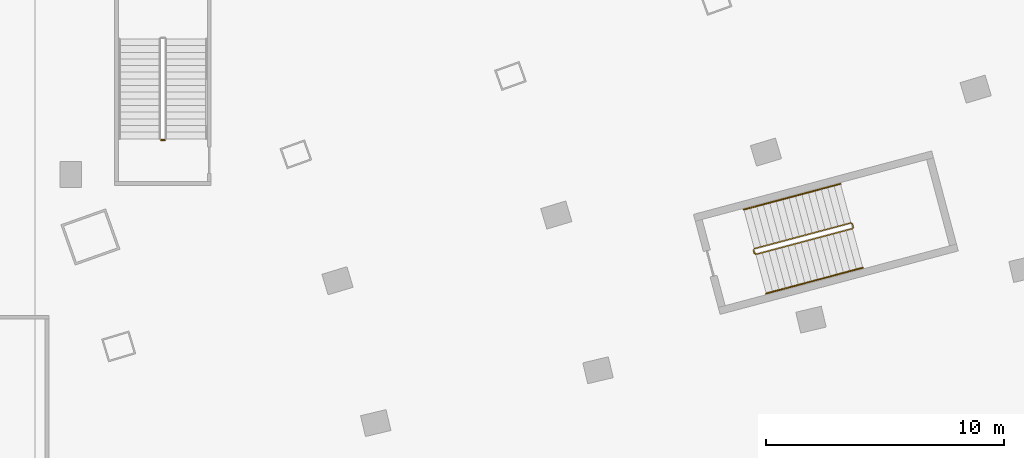
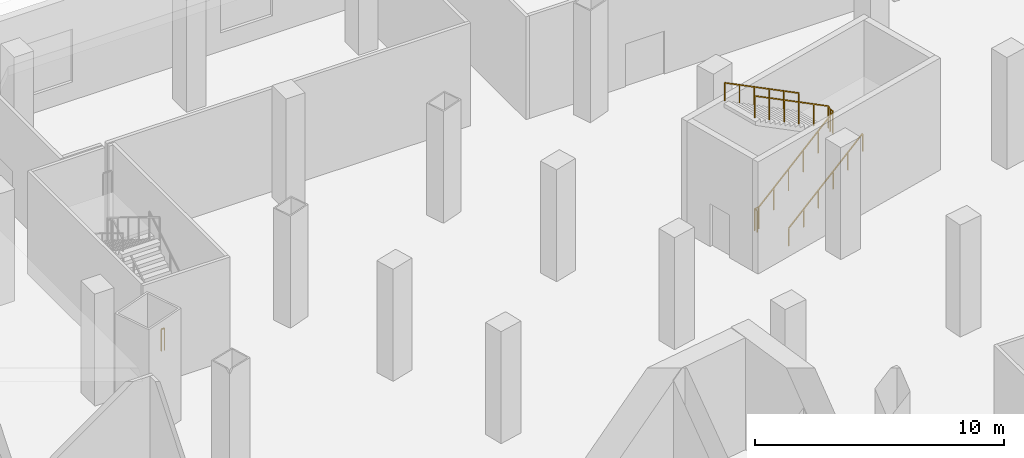
# One storey, part 23 of 26: 4 railings.
"""IFC4 building model written with IfcOpenShell, lengths in metres."""

from ifc_helpers import new_model, si_unit, direction, frame, origin, origin_2d, place, context, subcontext, project, spatial, rectangle, extrude, material, type_object, element, save


model = new_model("IFC4")

# Units and contexts
model_context = context("Model", 3, precision=1e-05, world=origin(), true_north=direction((0.0, 1.0)))
body_context = subcontext(model_context, "Body", "Model", "MODEL_VIEW")
ifc_project = project(units=[si_unit("LENGTHUNIT", "METRE"), si_unit("AREAUNIT", "SQUARE_METRE"), si_unit("VOLUMEUNIT", "CUBIC_METRE"), si_unit("PLANEANGLEUNIT", "RADIAN"), si_unit("MASSUNIT", "GRAM", prefix="KILO")], contexts=[model_context])

# Site, building, storey
site_placement = place(None, origin())
site = spatial("IfcSite", under=ifc_project, at=site_placement, CompositionType="ELEMENT")
building_placement = place(site_placement, origin())
building = spatial("IfcBuilding", under=site, at=building_placement, Name="Alderwake Tower", CompositionType="ELEMENT")
storey_placement = place(building_placement, frame((0.0, 0.0, 8.0)))
storey = spatial("IfcBuildingStorey", under=building, at=storey_placement, Name="L01", CompositionType="ELEMENT", Elevation=8.0)

# Railings
ifc_material_1 = material(Name="Stainless steel guard", Category="steel")
railing_type_1 = type_object("IfcRailingType", Name="Stair guard 1100", PredefinedType="GUARDRAIL", material=ifc_material_1)
railing_1_placement = place(storey_placement, frame((39.23291015625, 92.6806640625, 0.0)))
element("IfcRailing", 1, at=railing_1_placement, inside=storey, type_object=railing_type_1, Name="L01 ST-A stair guard 1", PredefinedType="GUARDRAIL", context=body_context, shape_type="SweptSolid", body=[
    extrude(rectangle(XDim=0.048095703125, YDim=0.048095703125, at=origin_2d()), frame((0.0, 0.0, 1.076171875), z_axis=(-0.257055032184, 0.966396766566, 0.0), x_axis=(-0.966396766566, -0.257055032184, 0.0)), (0.0, 0.0, 1.0), 0.150146484375),
    extrude(rectangle(XDim=0.048095703125, YDim=0.048095703125, at=origin_2d()), frame((-0.03857421875, 0.14501953125, 1.076171875), z_axis=(0.371969152004, -0.672090961689, 0.640259860661), x_axis=(0.874937996095, 0.484234966715, 0.0)), (0.0, 0.0, 1.0), 0.2685546875),
    extrude(rectangle(XDim=0.048095703125, YDim=0.048095703125, at=origin_2d()), frame((0.061279296875, -0.035400390625, 1.248046875), z_axis=(0.82352152456, 0.219367942655, 0.523153901182), x_axis=(-0.257402139082, 0.966304371715, 0.0)), (0.0, 0.0, 1.0), 4.927978515625),
    extrude(rectangle(XDim=0.048095703125, YDim=0.048095703125, at=origin_2d()), frame((4.11962890625, 1.045654296875, 3.826171875), z_axis=(0.502800015978, 0.864402767194, 0.0), x_axis=(-0.864402767194, 0.502800015978, 0.0)), (0.0, 0.0, 1.0), 0.07080078125),
    extrude(rectangle(XDim=0.048095703125, YDim=0.048095703125, at=origin_2d()), frame((4.1552734375, 1.10693359375, 3.826171875), z_axis=(-0.258980325321, 0.965882596953, 0.0), x_axis=(-0.965882596953, -0.258980325321, 0.0)), (0.0, 0.0, 1.0), 0.14990234375),
    extrude(rectangle(XDim=0.048095703125, YDim=0.048095703125, at=origin_2d()), frame((4.116455078125, 1.251708984375, 3.826171875), z_axis=(-0.328426937489, 0.191801331494, 0.92485025597), x_axis=(-0.504300490226, -0.863528236688, 0.0)), (0.0, 0.0, 1.0), 0.185791015625),
    extrude(rectangle(XDim=0.048095703125, YDim=0.048095703125, at=origin_2d()), frame((4.055419921875, 1.287353515625, 3.998046875), z_axis=(-0.823537466516, -0.219358993126, 0.523132558133), x_axis=(0.257387681119, -0.966308222881, 0.0)), (0.0, 0.0, 1.0), 4.92822265625),
    extrude(rectangle(XDim=0.0419921875, YDim=0.0419921875, at=origin_2d()), frame((0.0, 0.0, 0.0), z_axis=(0.0, 0.0, 1.0), x_axis=(-0.257055032184, 0.966396766566, 0.0)), (0.0, 0.0, 1.0), 1.052001953125),
    extrude(rectangle(XDim=0.0419921875, YDim=0.0419921875, at=origin_2d()), frame((-0.03857421875, 0.14501953125, 0.0), z_axis=(0.0, 0.0, 1.0), x_axis=(0.484234966715, -0.874937996095, 0.0)), (0.0, 0.0, 1.0), 1.052001953125),
    extrude(rectangle(XDim=0.0419921875, YDim=0.0419921875, at=origin_2d()), frame((0.061279296875, -0.035400390625, 0.171875), z_axis=(0.0, 0.0, 1.0), x_axis=(0.966304371715, 0.257402139082, 0.0)), (0.0, 0.0, 1.0), 1.052001953125),
    extrude(rectangle(XDim=0.0419921875, YDim=0.0419921875, at=origin_2d()), frame((0.873046875, 0.180908203125, 0.6875), z_axis=(0.0, 0.0, 1.0), x_axis=(0.966304371715, 0.257402139082, 0.0)), (0.0, 0.0, 1.0), 1.052001953125),
    extrude(rectangle(XDim=0.0419921875, YDim=0.0419921875, at=origin_2d()), frame((1.6845703125, 0.39697265625, 1.203125), z_axis=(0.0, 0.0, 1.0), x_axis=(0.966304371715, 0.257402139082, 0.0)), (0.0, 0.0, 1.0), 1.052001953125),
    extrude(rectangle(XDim=0.0419921875, YDim=0.0419921875, at=origin_2d()), frame((2.496337890625, 0.61328125, 1.71875), z_axis=(0.0, 0.0, 1.0), x_axis=(0.966304371715, 0.257402139082, 0.0)), (0.0, 0.0, 1.0), 1.052001953125),
    extrude(rectangle(XDim=0.0419921875, YDim=0.0419921875, at=origin_2d()), frame((3.307861328125, 0.829345703125, 2.234375), z_axis=(0.0, 0.0, 1.0), x_axis=(0.966304371715, 0.257402139082, 0.0)), (0.0, 0.0, 1.0), 1.052001953125),
    extrude(rectangle(XDim=0.0419921875, YDim=0.0419921875, at=origin_2d()), frame((4.11962890625, 1.045654296875, 2.75), z_axis=(0.0, 0.0, 1.0), x_axis=(0.502800015978, 0.864402767194, 0.0)), (0.0, 0.0, 1.0), 1.052001953125),
    extrude(rectangle(XDim=0.0419921875, YDim=0.0419921875, at=origin_2d()), frame((4.1552734375, 1.10693359375, 2.75), z_axis=(0.0, 0.0, 1.0), x_axis=(-0.258980325321, 0.965882596953, 0.0)), (0.0, 0.0, 1.0), 1.052001953125),
    extrude(rectangle(XDim=0.0419921875, YDim=0.0419921875, at=origin_2d()), frame((4.116455078125, 1.251708984375, 2.75), z_axis=(0.0, 0.0, 1.0), x_axis=(-0.863528236688, 0.504300490226, 0.0)), (0.0, 0.0, 1.0), 1.052001953125),
    extrude(rectangle(XDim=0.0419921875, YDim=0.0419921875, at=origin_2d()), frame((4.055419921875, 1.287353515625, 2.921875), z_axis=(0.0, 0.0, 1.0), x_axis=(-0.966308222881, -0.257387681119, 0.0)), (0.0, 0.0, 1.0), 1.052001953125),
    extrude(rectangle(XDim=0.0419921875, YDim=0.0419921875, at=origin_2d()), frame((3.24365234375, 1.071044921875, 3.4375), z_axis=(0.0, 0.0, 1.0), x_axis=(-0.966308222881, -0.257387681119, 0.0)), (0.0, 0.0, 1.0), 1.052001953125),
    extrude(rectangle(XDim=0.0419921875, YDim=0.0419921875, at=origin_2d()), frame((2.431884765625, 0.85498046875, 3.953125), z_axis=(0.0, 0.0, 1.0), x_axis=(-0.966308222881, -0.257387681119, 0.0)), (0.0, 0.0, 1.0), 1.052001953125),
    extrude(rectangle(XDim=0.0419921875, YDim=0.0419921875, at=origin_2d()), frame((1.620361328125, 0.638671875, 4.46875), z_axis=(0.0, 0.0, 1.0), x_axis=(-0.966308222881, -0.257387681119, 0.0)), (0.0, 0.0, 1.0), 1.052001953125),
    extrude(rectangle(XDim=0.0419921875, YDim=0.0419921875, at=origin_2d()), frame((0.80859375, 0.422607421875, 4.984375), z_axis=(0.0, 0.0, 1.0), x_axis=(-0.966308222881, -0.257387681119, 0.0)), (0.0, 0.0, 1.0), 1.052001953125),
    extrude(rectangle(XDim=0.0419921875, YDim=0.0419921875, at=origin_2d()), frame((-0.003173828125, 0.206298828125, 5.5), z_axis=(0.0, 0.0, 1.0), x_axis=(-0.966308222881, -0.257387681119, 0.0)), (0.0, 0.0, 1.0), 1.052001953125),
])
railing_2_placement = place(storey_placement, frame((14.449951171875, 97.449951171875, 0.0)))
element("IfcRailing", 2, at=railing_2_placement, inside=storey, type_object=railing_type_1, Name="L01 ST-P2 stair guard 4", PredefinedType="GUARDRAIL", context=body_context, shape_type="SweptSolid", body=[
    extrude(rectangle(XDim=0.048095703125, YDim=0.048095703125, at=origin_2d()), frame((0.0, 0.0, 1.076171875), z_axis=(-1.0, 0.0, 0.0), x_axis=(0.0, -1.0, 0.0)), (0.0, 0.0, 1.0), 0.14990234375),
    extrude(rectangle(XDim=0.0419921875, YDim=0.0419921875, at=origin_2d()), frame((0.0, 0.0, 0.0), z_axis=(0.0, 0.0, 1.0), x_axis=(-1.0, 0.0, 0.0)), (0.0, 0.0, 1.0), 1.052001953125),
    extrude(rectangle(XDim=0.0419921875, YDim=0.0419921875, at=origin_2d()), frame((-0.14990234375, 0.0, 0.0), z_axis=(0.0, 0.0, 1.0), x_axis=(-1.0, 0.0, 0.0)), (0.0, 0.0, 1.0), 1.052001953125),
])
ifc_material_2 = material(Name="Stainless steel handrail", Category="steel")
railing_type_2 = type_object("IfcRailingType", Name="Stair handrail 900", PredefinedType="HANDRAIL", material=ifc_material_2)
railing_3_placement = place(storey_placement, frame((39.731689453125, 91.002685546875, 0.171875)))
element("IfcRailing", 3, at=railing_3_placement, inside=storey, type_object=railing_type_2, Name="L01 ST-A stair handrail 1", PredefinedType="HANDRAIL", context=body_context, shape_type="SweptSolid", body=[
    extrude(rectangle(XDim=0.048095703125, YDim=0.048095703125, at=origin_2d()), frame((0.0, 0.0, 0.8759765625), z_axis=(0.823546414901, 0.219311837029, 0.523138242382), x_axis=(-0.257333403443, 0.966322678753, 0.0)), (0.0, 0.0, 1.0), 4.92822265625),
    extrude(rectangle(XDim=0.0419921875, YDim=0.0419921875, at=origin_2d()), frame((0.0, 0.0, 0.0), z_axis=(0.0, 0.0, 1.0), x_axis=(0.966322678753, 0.257333403443, 0.0)), (0.0, 0.0, 1.0), 0.851806640625),
    extrude(rectangle(XDim=0.0419921875, YDim=0.0419921875, at=origin_2d()), frame((0.811767578125, 0.216064453125, 0.515625), z_axis=(0.0, 0.0, 1.0), x_axis=(0.966322678753, 0.257333403443, 0.0)), (0.0, 0.0, 1.0), 0.851806640625),
    extrude(rectangle(XDim=0.0419921875, YDim=0.0419921875, at=origin_2d()), frame((1.62353515625, 0.432373046875, 1.03125), z_axis=(0.0, 0.0, 1.0), x_axis=(0.966322678753, 0.257333403443, 0.0)), (0.0, 0.0, 1.0), 0.851806640625),
    extrude(rectangle(XDim=0.0419921875, YDim=0.0419921875, at=origin_2d()), frame((2.43505859375, 0.6484375, 1.546875), z_axis=(0.0, 0.0, 1.0), x_axis=(0.966322678753, 0.257333403443, 0.0)), (0.0, 0.0, 1.0), 0.851806640625),
    extrude(rectangle(XDim=0.0419921875, YDim=0.0419921875, at=origin_2d()), frame((3.246826171875, 0.86474609375, 2.0625), z_axis=(0.0, 0.0, 1.0), x_axis=(0.966322678753, 0.257333403443, 0.0)), (0.0, 0.0, 1.0), 0.851806640625),
    extrude(rectangle(XDim=0.0419921875, YDim=0.0419921875, at=origin_2d()), frame((4.05859375, 1.080810546875, 2.578125), z_axis=(0.0, 0.0, 1.0), x_axis=(0.966322678753, 0.257333403443, 0.0)), (0.0, 0.0, 1.0), 0.851806640625),
])
railing_4_placement = place(storey_placement, frame((42.850830078125, 95.610595703125, 2.921875)))
element("IfcRailing", 4, at=railing_4_placement, inside=storey, type_object=railing_type_2, Name="L01 ST-A stair handrail 2", PredefinedType="HANDRAIL", context=body_context, shape_type="SweptSolid", body=[
    extrude(rectangle(XDim=0.048095703125, YDim=0.048095703125, at=origin_2d()), frame((0.0, 0.0, 0.8759765625), z_axis=(-0.823537466516, -0.219358993126, 0.523132558133), x_axis=(0.257387681119, -0.966308222881, 0.0)), (0.0, 0.0, 1.0), 4.92822265625),
    extrude(rectangle(XDim=0.0419921875, YDim=0.0419921875, at=origin_2d()), frame((0.0, 0.0, 0.0), z_axis=(0.0, 0.0, 1.0), x_axis=(-0.966308222881, -0.257387681119, 0.0)), (0.0, 0.0, 1.0), 0.851806640625),
    extrude(rectangle(XDim=0.0419921875, YDim=0.0419921875, at=origin_2d()), frame((-0.811767578125, -0.21630859375, 0.515625), z_axis=(0.0, 0.0, 1.0), x_axis=(-0.966308222881, -0.257387681119, 0.0)), (0.0, 0.0, 1.0), 0.851806640625),
    extrude(rectangle(XDim=0.0419921875, YDim=0.0419921875, at=origin_2d()), frame((-1.62353515625, -0.432373046875, 1.03125), z_axis=(0.0, 0.0, 1.0), x_axis=(-0.966308222881, -0.257387681119, 0.0)), (0.0, 0.0, 1.0), 0.851806640625),
    extrude(rectangle(XDim=0.0419921875, YDim=0.0419921875, at=origin_2d()), frame((-2.43505859375, -0.648681640625, 1.546875), z_axis=(0.0, 0.0, 1.0), x_axis=(-0.966308222881, -0.257387681119, 0.0)), (0.0, 0.0, 1.0), 0.851806640625),
    extrude(rectangle(XDim=0.0419921875, YDim=0.0419921875, at=origin_2d()), frame((-3.246826171875, -0.86474609375, 2.0625), z_axis=(0.0, 0.0, 1.0), x_axis=(-0.966308222881, -0.257387681119, 0.0)), (0.0, 0.0, 1.0), 0.851806640625),
    extrude(rectangle(XDim=0.0419921875, YDim=0.0419921875, at=origin_2d()), frame((-4.05859375, -1.0810546875, 2.578125), z_axis=(0.0, 0.0, 1.0), x_axis=(-0.966308222881, -0.257387681119, 0.0)), (0.0, 0.0, 1.0), 0.851806640625),
])

save(model, "model.ifc")
